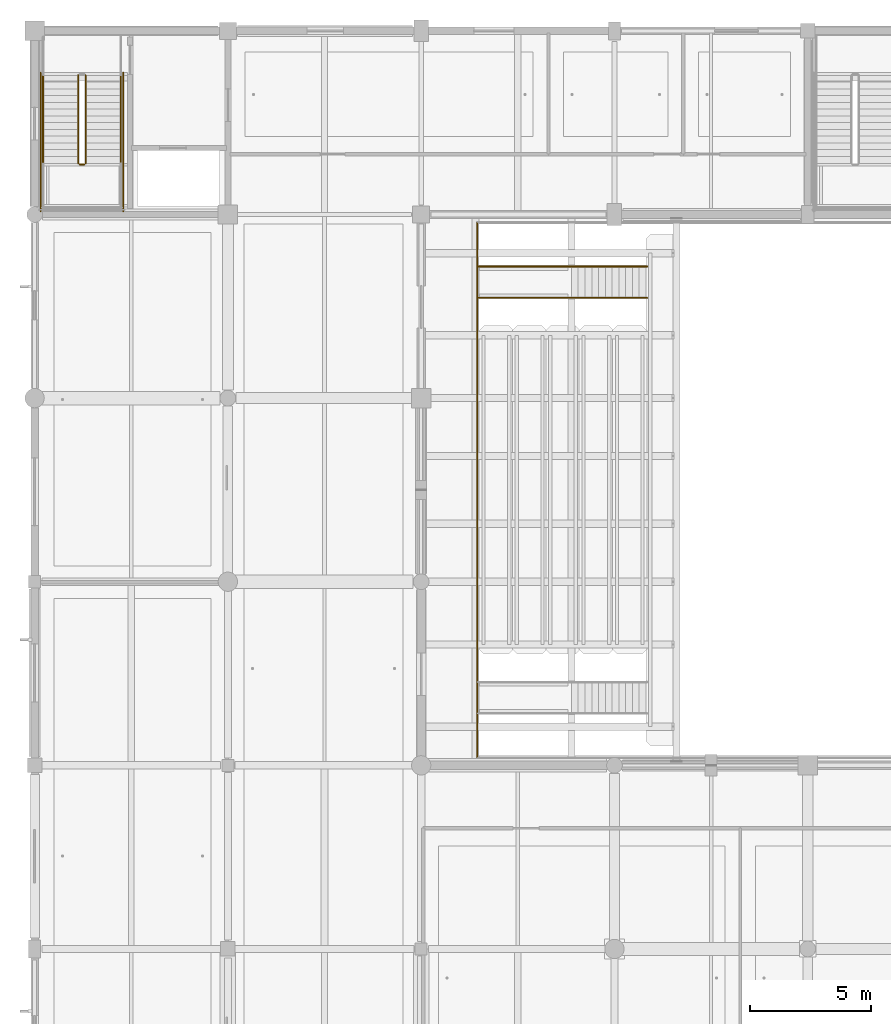
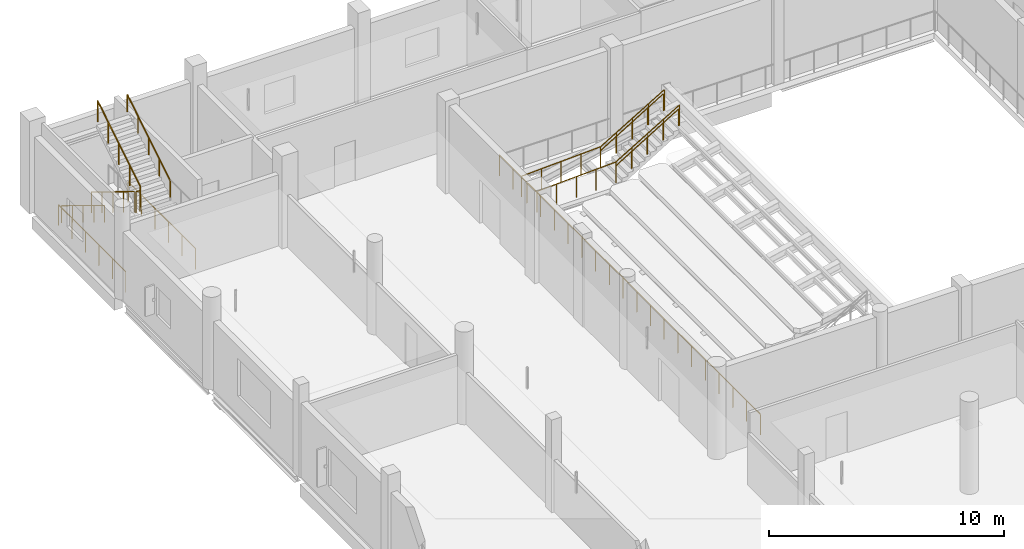
# One storey, part 138 of 147: 12 railings.
"""IFC4 building model written with IfcOpenShell, lengths in metres."""

from ifc_helpers import new_model, si_unit, direction, frame, origin, origin_2d, place, context, subcontext, project, spatial, circle, extrude, material, type_object, element, save


model = new_model("IFC4")

# Units and contexts
model_context = context("Model", 3, precision=1e-05, world=origin(), true_north=direction((0.0, 1.0)))
body_context = subcontext(model_context, "Body", "Model", "MODEL_VIEW")
ifc_project = project(units=[si_unit("LENGTHUNIT", "METRE"), si_unit("AREAUNIT", "SQUARE_METRE"), si_unit("VOLUMEUNIT", "CUBIC_METRE"), si_unit("PLANEANGLEUNIT", "RADIAN"), si_unit("MASSUNIT", "GRAM", prefix="KILO")], contexts=[model_context])

# Site, building, storey
site_placement = place(None, origin())
site = spatial("IfcSite", under=ifc_project, at=site_placement, CompositionType="ELEMENT")
building_placement = place(site_placement, origin())
building = spatial("IfcBuilding", under=site, at=building_placement, Name="Khelvaren Railside Concert Hall", CompositionType="ELEMENT")
storey_placement = place(building_placement, frame((0.0, 0.0, 5.39990234375)))
storey = spatial("IfcBuildingStorey", under=building, at=storey_placement, Name="L01", CompositionType="ELEMENT", Elevation=5.39990234375)

# Railings
ifc_material_1 = material(Name="Painted architectural steel", Category="steel")
railing_type_1 = type_object("IfcRailingType", Name="GRD86", PredefinedType="GUARDRAIL", material=ifc_material_1)
railing_1_placement = place(storey_placement, frame((1.81005859375, 112.159912109375, 0.171630859375)))
element("IfcRailing", 1, at=railing_1_placement, inside=storey, type_object=railing_type_1, Name="L01 ST-07 stair guard 1", PredefinedType="GUARDRAIL", context=body_context, shape_type="SweptSolid", body=[
    extrude(circle(Radius=0.02392578125, at=origin_2d()), frame((0.0, 0.0, 1.076171875), z_axis=(0.0, -0.852850264322, 0.5221555579), x_axis=(1.0, 0.0, 0.0)), (0.0, 0.0, 1.0), 4.267822265625),
    extrude(circle(Radius=0.02099609375, at=origin_2d()), origin(), (0.0, 0.0, 1.0), 1.052001953125),
    extrude(circle(Radius=0.02099609375, at=origin_2d()), frame((0.0, -0.909912109375, 0.55712890625)), (0.0, 0.0, 1.0), 1.052001953125),
    extrude(circle(Radius=0.02099609375, at=origin_2d()), frame((0.0, -1.81982421875, 1.1142578125)), (0.0, 0.0, 1.0), 1.052001953125),
    extrude(circle(Radius=0.02099609375, at=origin_2d()), frame((0.0, -2.72998046875, 1.67138671875)), (0.0, 0.0, 1.0), 1.052001953125),
    extrude(circle(Radius=0.02099609375, at=origin_2d()), frame((0.0, -3.639892578125, 2.228515625)), (0.0, 0.0, 1.0), 1.052001953125),
])
railing_2_placement = place(storey_placement, frame((1.860107421875, 108.469970703125, 2.400146484375)))
element("IfcRailing", 2, at=railing_2_placement, inside=storey, type_object=railing_type_1, Name="L01 ST-07 stair guard 2", PredefinedType="GUARDRAIL", context=body_context, shape_type="SweptSolid", body=[
    extrude(circle(Radius=0.02392578125, at=origin_2d()), frame((0.0, 0.0, 1.076171875), z_axis=(1.0, 0.0, 0.0), x_axis=(0.0, 1.0, 0.0)), (0.0, 0.0, 1.0), 0.199951171875),
    extrude(circle(Radius=0.02099609375, at=origin_2d()), origin(), (0.0, 0.0, 1.0), 1.052001953125),
    extrude(circle(Radius=0.02099609375, at=origin_2d()), frame((0.199951171875, 0.0, 0.0)), (0.0, 0.0, 1.0), 1.052001953125),
])
railing_3_placement = place(storey_placement, frame((2.110107421875, 108.52001953125, 2.571533203125)))
element("IfcRailing", 3, at=railing_3_placement, inside=storey, type_object=railing_type_1, Name="L01 ST-07 stair guard 6", PredefinedType="GUARDRAIL", context=body_context, shape_type="SweptSolid", body=[
    extrude(circle(Radius=0.02392578125, at=origin_2d()), frame((0.0, 0.0, 1.076171875), z_axis=(0.0, 0.852850264322, 0.5221555579), x_axis=(-1.0, 0.0, 0.0)), (0.0, 0.0, 1.0), 4.267822265625),
    extrude(circle(Radius=0.02099609375, at=origin_2d()), origin(), (0.0, 0.0, 1.0), 1.052001953125),
    extrude(circle(Radius=0.02099609375, at=origin_2d()), frame((0.0, 0.909912109375, 0.55712890625)), (0.0, 0.0, 1.0), 1.052001953125),
    extrude(circle(Radius=0.02099609375, at=origin_2d()), frame((0.0, 1.81982421875, 1.1142578125)), (0.0, 0.0, 1.0), 1.052001953125),
    extrude(circle(Radius=0.02099609375, at=origin_2d()), frame((0.0, 2.72998046875, 1.67138671875)), (0.0, 0.0, 1.0), 1.052001953125),
    extrude(circle(Radius=0.02099609375, at=origin_2d()), frame((0.0, 3.639892578125, 2.228515625)), (0.0, 0.0, 1.0), 1.052001953125),
])
for number, where, name in (
    (4, (0.25, 112.260009765625, 0.0), "L01 ST-07 stair guard 10"),
    (5, (3.669921875, 112.260009765625, 0.0), "L01 ST-07 stair guard 11"),
):
    element("IfcRailing", number, at=place(storey_placement, frame(where)), inside=storey, type_object=railing_type_1, Name=name, PredefinedType="GUARDRAIL", context=body_context, shape_type="SweptSolid", body=[
        extrude(circle(Radius=0.02392578125, at=origin_2d()), frame((0.0, 0.0, 1.076171875), z_axis=(0.0, -1.0, 0.0), x_axis=(1.0, 0.0, 0.0)), (0.0, 0.0, 1.0), 5.719970703125),
        extrude(circle(Radius=0.02099609375, at=origin_2d()), origin(), (0.0, 0.0, 1.0), 1.052001953125),
        extrude(circle(Radius=0.02099609375, at=origin_2d()), frame((0.0, -1.14404296875, 0.0)), (0.0, 0.0, 1.0), 1.052001953125),
        extrude(circle(Radius=0.02099609375, at=origin_2d()), frame((0.0, -2.2880859375, 0.0)), (0.0, 0.0, 1.0), 1.052001953125),
        extrude(circle(Radius=0.02099609375, at=origin_2d()), frame((0.0, -3.431884765625, 0.0)), (0.0, 0.0, 1.0), 1.052001953125),
        extrude(circle(Radius=0.02099609375, at=origin_2d()), frame((0.0, -4.575927734375, 0.0)), (0.0, 0.0, 1.0), 1.052001953125),
        extrude(circle(Radius=0.02099609375, at=origin_2d()), frame((0.0, -5.719970703125, 0.0)), (0.0, 0.0, 1.0), 1.052001953125),
    ])
for number, where, name in (
    (6, (18.35009765625, 102.949951171875, 0.0), "Vomitory Guardrail ST-26-L"),
    (7, (18.35009765625, 104.25, 0.0), "Vomitory Guardrail ST-26-R"),
):
    element("IfcRailing", number, at=place(storey_placement, frame(where)), inside=storey, type_object=railing_type_1, Name=name, PredefinedType="GUARDRAIL", context=body_context, shape_type="SweptSolid", body=[
        extrude(circle(Radius=0.02392578125, at=origin_2d()), frame((0.0, 0.0, 1.076171875), z_axis=(0.99903463179, 0.0, 0.043929539989), x_axis=(0.0, 1.0, 0.0)), (0.0, 0.0, 1.0), 3.87353515625),
        extrude(circle(Radius=0.02392578125, at=origin_2d()), frame((3.869873046875, 0.0, 1.24609375), z_axis=(0.858483901645, 0.0, 0.512840511871), x_axis=(0.0, 1.0, 0.0)), (0.0, 0.0, 1.0), 3.64599609375),
        extrude(circle(Radius=0.02099609375, at=origin_2d()), origin(), (0.0, 0.0, 1.0), 1.052001953125),
        extrude(circle(Radius=0.02099609375, at=origin_2d()), frame((0.967529296875, 0.0, 0.04248046875)), (0.0, 0.0, 1.0), 1.052001953125),
        extrude(circle(Radius=0.02099609375, at=origin_2d()), frame((1.93505859375, 0.0, 0.0849609375)), (0.0, 0.0, 1.0), 1.052001953125),
        extrude(circle(Radius=0.02099609375, at=origin_2d()), frame((2.90234375, 0.0, 0.127685546875)), (0.0, 0.0, 1.0), 1.052001953125),
        extrude(circle(Radius=0.02099609375, at=origin_2d()), frame((3.869873046875, 0.0, 0.170166015625)), (0.0, 0.0, 1.0), 1.052001953125),
        extrude(circle(Radius=0.02099609375, at=origin_2d()), frame((4.65234375, 0.0, 0.6376953125)), (0.0, 0.0, 1.0), 1.052001953125),
        extrude(circle(Radius=0.02099609375, at=origin_2d()), frame((5.43505859375, 0.0, 1.10498046875)), (0.0, 0.0, 1.0), 1.052001953125),
        extrude(circle(Radius=0.02099609375, at=origin_2d()), frame((6.217529296875, 0.0, 1.572509765625)), (0.0, 0.0, 1.0), 1.052001953125),
        extrude(circle(Radius=0.02099609375, at=origin_2d()), frame((7.0, 0.0, 2.0400390625)), (0.0, 0.0, 1.0), 1.052001953125),
    ])
ifc_material_2 = material(Name="Acoustic bronze and laminated glass guardrail", Category="glass")
railing_type_2 = type_object("IfcRailingType", Name="GRD91", PredefinedType="GUARDRAIL", material=ifc_material_2)
railing_4_placement = place(storey_placement, frame((18.320068359375, 106.080078125, 0.0)))
element("IfcRailing", 8, at=railing_4_placement, inside=storey, type_object=railing_type_2, Name="V4 L01 Acoustic Bowl Edge Guardrail W", PredefinedType="GUARDRAIL", context=body_context, shape_type="SweptSolid", body=[
    extrude(circle(Radius=0.02392578125, at=origin_2d()), frame((0.0, 0.0, 1.076171875), z_axis=(0.0, -1.0, 0.0), x_axis=(1.0, 0.0, 0.0)), (0.0, 0.0, 1.0), 22.16015625),
    extrude(circle(Radius=0.02099609375, at=origin_2d()), origin(), (0.0, 0.0, 1.0), 1.052001953125),
    extrude(circle(Radius=0.02099609375, at=origin_2d()), frame((0.0, -1.166259765625, 0.0)), (0.0, 0.0, 1.0), 1.052001953125),
    extrude(circle(Radius=0.02099609375, at=origin_2d()), frame((0.0, -2.332763671875, 0.0)), (0.0, 0.0, 1.0), 1.052001953125),
    extrude(circle(Radius=0.02099609375, at=origin_2d()), frame((0.0, -3.4990234375, 0.0)), (0.0, 0.0, 1.0), 1.052001953125),
    extrude(circle(Radius=0.02099609375, at=origin_2d()), frame((0.0, -4.665283203125, 0.0)), (0.0, 0.0, 1.0), 1.052001953125),
    extrude(circle(Radius=0.02099609375, at=origin_2d()), frame((0.0, -5.83154296875, 0.0)), (0.0, 0.0, 1.0), 1.052001953125),
    extrude(circle(Radius=0.02099609375, at=origin_2d()), frame((0.0, -6.998046875, 0.0)), (0.0, 0.0, 1.0), 1.052001953125),
    extrude(circle(Radius=0.02099609375, at=origin_2d()), frame((0.0, -8.164306640625, 0.0)), (0.0, 0.0, 1.0), 1.052001953125),
    extrude(circle(Radius=0.02099609375, at=origin_2d()), frame((0.0, -9.33056640625, 0.0)), (0.0, 0.0, 1.0), 1.052001953125),
    extrude(circle(Radius=0.02099609375, at=origin_2d()), frame((0.0, -10.496826171875, 0.0)), (0.0, 0.0, 1.0), 1.052001953125),
    extrude(circle(Radius=0.02099609375, at=origin_2d()), frame((0.0, -11.663330078125, 0.0)), (0.0, 0.0, 1.0), 1.052001953125),
    extrude(circle(Radius=0.02099609375, at=origin_2d()), frame((0.0, -12.82958984375, 0.0)), (0.0, 0.0, 1.0), 1.052001953125),
    extrude(circle(Radius=0.02099609375, at=origin_2d()), frame((0.0, -13.995849609375, 0.0)), (0.0, 0.0, 1.0), 1.052001953125),
    extrude(circle(Radius=0.02099609375, at=origin_2d()), frame((0.0, -15.162109375, 0.0)), (0.0, 0.0, 1.0), 1.052001953125),
    extrude(circle(Radius=0.02099609375, at=origin_2d()), frame((0.0, -16.32861328125, 0.0)), (0.0, 0.0, 1.0), 1.052001953125),
    extrude(circle(Radius=0.02099609375, at=origin_2d()), frame((0.0, -17.494873046875, 0.0)), (0.0, 0.0, 1.0), 1.052001953125),
    extrude(circle(Radius=0.02099609375, at=origin_2d()), frame((0.0, -18.6611328125, 0.0)), (0.0, 0.0, 1.0), 1.052001953125),
    extrude(circle(Radius=0.02099609375, at=origin_2d()), frame((0.0, -19.827392578125, 0.0)), (0.0, 0.0, 1.0), 1.052001953125),
    extrude(circle(Radius=0.02099609375, at=origin_2d()), frame((0.0, -20.993896484375, 0.0)), (0.0, 0.0, 1.0), 1.052001953125),
    extrude(circle(Radius=0.02099609375, at=origin_2d()), frame((0.0, -22.16015625, 0.0)), (0.0, 0.0, 1.0), 1.052001953125),
])
ifc_material_3 = material(Name="Brushed stainless steel Grade 316", Category="steel")
railing_type_3 = type_object("IfcRailingType", Name="HRL59", PredefinedType="HANDRAIL", material=ifc_material_3)
railing_5_placement = place(storey_placement, frame((0.35009765625, 112.159912109375, 0.171630859375)))
element("IfcRailing", 9, at=railing_5_placement, inside=storey, type_object=railing_type_3, Name="L01 ST-07 stair handrail 1", PredefinedType="HANDRAIL", context=body_context, shape_type="SweptSolid", body=[
    extrude(circle(Radius=0.02392578125, at=origin_2d()), frame((0.0, 0.0, 0.8759765625), z_axis=(0.0, -0.852850264322, 0.5221555579), x_axis=(1.0, 0.0, 0.0)), (0.0, 0.0, 1.0), 4.267822265625),
    extrude(circle(Radius=0.02099609375, at=origin_2d()), origin(), (0.0, 0.0, 1.0), 0.851806640625),
    extrude(circle(Radius=0.02099609375, at=origin_2d()), frame((0.0, -0.909912109375, 0.55712890625)), (0.0, 0.0, 1.0), 0.851806640625),
    extrude(circle(Radius=0.02099609375, at=origin_2d()), frame((0.0, -1.81982421875, 1.1142578125)), (0.0, 0.0, 1.0), 0.851806640625),
    extrude(circle(Radius=0.02099609375, at=origin_2d()), frame((0.0, -2.72998046875, 1.67138671875)), (0.0, 0.0, 1.0), 0.851806640625),
    extrude(circle(Radius=0.02099609375, at=origin_2d()), frame((0.0, -3.639892578125, 2.228515625)), (0.0, 0.0, 1.0), 0.851806640625),
])
railing_6_placement = place(storey_placement, frame((3.570068359375, 108.52001953125, 2.571533203125)))
element("IfcRailing", 10, at=railing_6_placement, inside=storey, type_object=railing_type_3, Name="L01 ST-07 stair handrail 2", PredefinedType="HANDRAIL", context=body_context, shape_type="SweptSolid", body=[
    extrude(circle(Radius=0.02392578125, at=origin_2d()), frame((0.0, 0.0, 0.8759765625), z_axis=(0.0, 0.852850264322, 0.5221555579), x_axis=(-1.0, 0.0, 0.0)), (0.0, 0.0, 1.0), 4.267822265625),
    extrude(circle(Radius=0.02099609375, at=origin_2d()), origin(), (0.0, 0.0, 1.0), 0.851806640625),
    extrude(circle(Radius=0.02099609375, at=origin_2d()), frame((0.0, 0.909912109375, 0.55712890625)), (0.0, 0.0, 1.0), 0.851806640625),
    extrude(circle(Radius=0.02099609375, at=origin_2d()), frame((0.0, 1.81982421875, 1.1142578125)), (0.0, 0.0, 1.0), 0.851806640625),
    extrude(circle(Radius=0.02099609375, at=origin_2d()), frame((0.0, 2.72998046875, 1.67138671875)), (0.0, 0.0, 1.0), 0.851806640625),
    extrude(circle(Radius=0.02099609375, at=origin_2d()), frame((0.0, 3.639892578125, 2.228515625)), (0.0, 0.0, 1.0), 0.851806640625),
])
for number, where, name in (
    (11, (22.219970703125, 102.949951171875, 0.170166015625), "Vomitory Pitch Handrail ST-26-L"),
    (12, (22.219970703125, 104.25, 0.170166015625), "Vomitory Pitch Handrail ST-26-R"),
):
    element("IfcRailing", number, at=place(storey_placement, frame(where)), inside=storey, type_object=railing_type_3, Name=name, PredefinedType="HANDRAIL", context=body_context, shape_type="SweptSolid", body=[
        extrude(circle(Radius=0.02392578125, at=origin_2d()), frame((0.0, 0.0, 0.8759765625), z_axis=(0.854808984221, 0.0, 0.518942771889), x_axis=(0.0, 1.0, 0.0)), (0.0, 0.0, 1.0), 3.603271484375),
        extrude(circle(Radius=0.02099609375, at=origin_2d()), origin(), (0.0, 0.0, 1.0), 0.851806640625),
        extrude(circle(Radius=0.02099609375, at=origin_2d()), frame((0.77001953125, 0.0, 0.467529296875)), (0.0, 0.0, 1.0), 0.851806640625),
        extrude(circle(Radius=0.02099609375, at=origin_2d()), frame((1.5400390625, 0.0, 0.93505859375)), (0.0, 0.0, 1.0), 0.851806640625),
        extrude(circle(Radius=0.02099609375, at=origin_2d()), frame((2.31005859375, 0.0, 1.40234375)), (0.0, 0.0, 1.0), 0.851806640625),
        extrude(circle(Radius=0.02099609375, at=origin_2d()), frame((3.080078125, 0.0, 1.869873046875)), (0.0, 0.0, 1.0), 0.851806640625),
    ])

save(model, "model.ifc")
